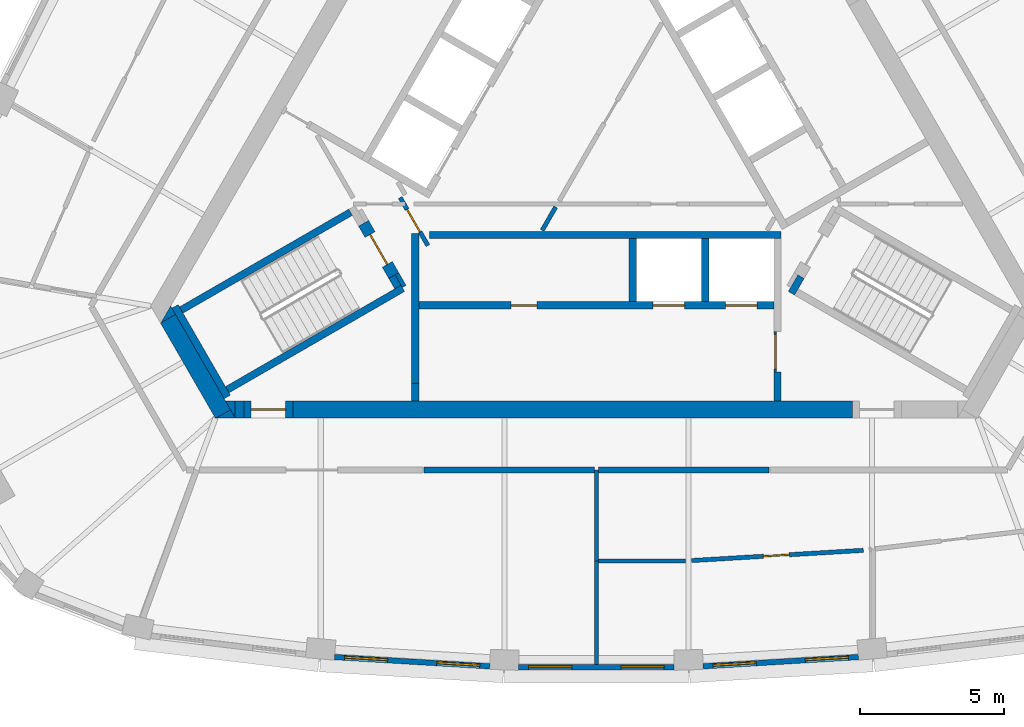
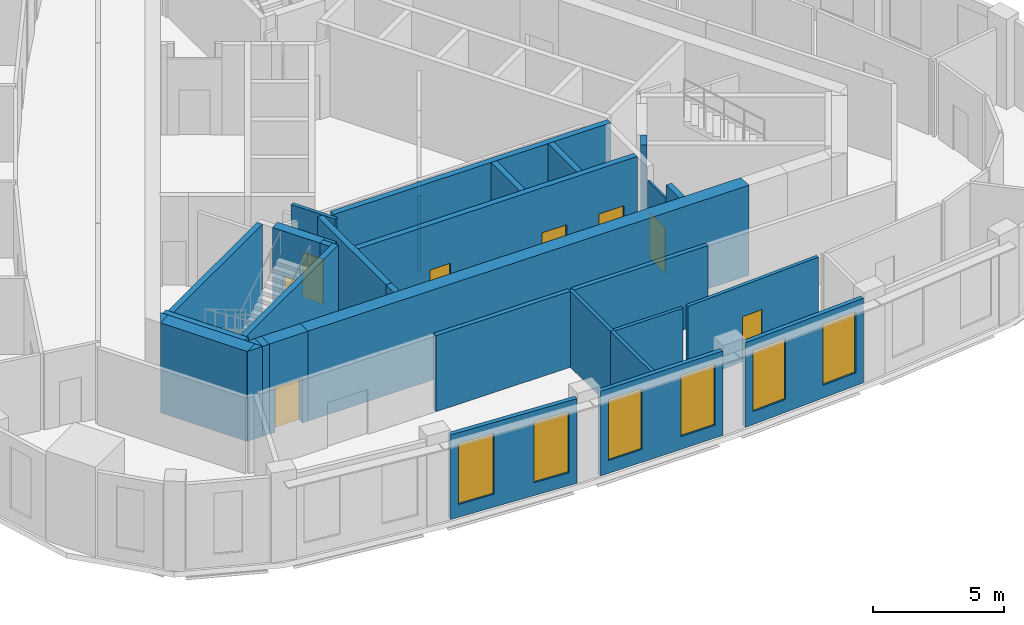
# One storey, part 3 of 10: 33 walls, 8 doors, 6 windows, 14 openings.
"""IFC4 building model written with IfcOpenShell, lengths in metres."""

from ifc_helpers import new_model, si_unit, direction, frame, frame_2d, origin, place, context, subcontext, project, spatial, polyline, rectangle, outline, extrude, material, layer, layer_set, type_object, element, fill, save


model = new_model("IFC4")

# Units and contexts
model_context = context("Model", 3, precision=1e-05, world=origin(), true_north=direction((0.0, 1.0)))
body_context = subcontext(model_context, "Body", "Model", "MODEL_VIEW")
ifc_project = project(units=[si_unit("LENGTHUNIT", "METRE"), si_unit("AREAUNIT", "SQUARE_METRE"), si_unit("VOLUMEUNIT", "CUBIC_METRE"), si_unit("PLANEANGLEUNIT", "RADIAN"), si_unit("MASSUNIT", "GRAM", prefix="KILO")], contexts=[model_context])

# Site, building, storey
site_placement = place(None, origin())
site = spatial("IfcSite", under=ifc_project, at=site_placement, CompositionType="ELEMENT")
building_placement = place(site_placement, origin())
building = spatial("IfcBuilding", under=site, at=building_placement, Name="Mestral Congress Tower", CompositionType="ELEMENT")
storey_placement = place(building_placement, frame((0.0, 0.0, 292.199951171875)))
storey = spatial("IfcBuildingStorey", under=building, at=storey_placement, Name="L68", CompositionType="ELEMENT", Elevation=292.199951171875)

# Wall
ifc_material_1 = material(Name="Fire-rated board partition")
ifc_layer_1 = layer(ifc_material_1, 0.14990234375)
ifc_layer_set_1 = layer_set([ifc_layer_1], Name="Fire-rated board partition")
wall_type_1 = type_object("IfcWallType", Name="Core partition 150", PredefinedType="PARTITIONING", material=ifc_layer_set_1)
wall_1_placement = place(storey_placement, frame((-1.41845703125, -2.90673828125, 0.0), z_axis=(0.0, 0.0, 1.0), x_axis=(-0.499978056798, -0.866038072327, 0.0)))
element("IfcWall", 1, at=wall_1_placement, inside=storey, type_object=wall_type_1, Name="L68 core wall", PredefinedType="PARTITIONING", context=body_context, shape_type="SweptSolid", body=[
    extrude(rectangle(XDim=0.93701171875, YDim=0.14990234375, at=frame_2d((0.468505859375, 0.0))), origin(), (0.0, 0.0, 1.0), 3.550048828125),
])

# Wall, opening, door
ifc_layer_2 = layer(ifc_material_1, 0.090087890625)
ifc_layer_set_2 = layer_set([ifc_layer_2], Name="Fire-rated board partition")
wall_type_2 = type_object("IfcWallType", Name="Core partition 150 door-wall 90", PredefinedType="PARTITIONING", material=ifc_layer_set_2)
wall_2_placement = place(storey_placement, frame((6.219970703125, -7.23681640625, 0.0), z_axis=(0.0, 0.0, 1.0), x_axis=(0.0, -1.0, 0.0)))
wall_2 = element("IfcWall", 2, at=wall_2_placement, inside=storey, type_object=wall_type_2, Name="L68 door wall", PredefinedType="PARTITIONING", context=body_context, shape_type="SweptSolid", body=[
    extrude(rectangle(XDim=1.400146484375, YDim=0.090087890625, at=frame_2d((0.7001953125, 0.0))), origin(), (0.0, 0.0, 1.0), 3.550048828125),
])
opening_1_placement = place(wall_2_placement, frame((0.10009765625, 0.0, 0.0)))
opening_1 = element("IfcOpeningElement", 3, at=opening_1_placement, cuts=wall_2, Name="Opening LB0-WL1", PredefinedType="OPENING", context=body_context, shape_type="SweptSolid", body=[
    extrude(rectangle(XDim=1.199951171875, YDim=2.10009765625, at=frame_2d((0.60009765625, 1.050048828125))), frame((0.0, 0.054931640625, 0.0), z_axis=(0.0, -1.0, 0.0), x_axis=(1.0, 0.0, 0.0)), (0.0, 0.0, 1.0), 0.110107421875),
])
ifc_material_2 = material(Name="Fire-rated steel door set", Category="steel")
door_type_1 = type_object("IfcDoorType", Name="Core door LB 1200x2100", OperationType="SINGLE_SWING_LEFT", PredefinedType="DOOR", material=ifc_material_2)
door_1_placement = place(opening_1_placement, origin())
door_1 = element("IfcDoor", 4, at=door_1_placement, inside=storey, type_object=door_type_1, Name="Door LB0-WL1", OperationType="SINGLE_SWING_LEFT", OverallHeight=2.10009765625, OverallWidth=1.199951171875, PredefinedType="DOOR", context=body_context, shape_type="SweptSolid", body=[
    extrude(rectangle(XDim=1.199951171875, YDim=2.10009765625, at=frame_2d((0.60009765625, 1.050048828125))), frame((0.0, 0.02490234375, 0.0), z_axis=(0.0, -1.0, 0.0), x_axis=(1.0, 0.0, 0.0)), (0.0, 0.0, 1.0), 0.050048828125),
])
fill(opening_1, door_1)

# Walls
ifc_material_3 = material(Name="Concrete C60/75", Category="concrete")
ifc_layer_3 = layer(ifc_material_3, 0.60009765625)
ifc_layer_set_3 = layer_set([ifc_layer_3], Name="Concrete C60/75")
wall_type_3 = type_object("IfcWallType", Name="Core wall RC 600", PredefinedType="SOLIDWALL", material=ifc_layer_set_3)
wall_3_placement = place(storey_placement, frame((-14.898681640625, -6.794677734375, 0.0), z_axis=(0.0, 0.0, 1.0), x_axis=(0.499950938802, -0.866053727428, 0.0)))
element("IfcWall", 5, at=wall_3_placement, inside=storey, type_object=wall_type_3, Name="L68 core wall", PredefinedType="SOLIDWALL", context=body_context, shape_type="SweptSolid", body=[
    extrude(rectangle(XDim=3.8232421875, YDim=0.60009765625, at=frame_2d((1.91162109375, 0.0))), origin(), (0.0, 0.0, 1.0), 4.199951171875),
])
placement = place(storey_placement, origin())
element("IfcWall", 6, at=placement, inside=storey, type_object=wall_type_3, Name="L68 core wall", PredefinedType="SOLIDWALL", context=body_context, shape_type="SweptSolid", body=[
    extrude(outline(polyline([(-14.639892578125, -6.642822265625), (-15.147216796875, -6.935791015625), (-14.80908203125, -6.35009765625), (-14.639892578125, -6.642822265625)])), origin(), (0.0, 0.0, 1.0), 4.199951171875),
])
element("IfcWall", 7, at=placement, inside=storey, type_object=wall_type_3, Name="L68 core wall", PredefinedType="SOLIDWALL", context=body_context, shape_type="SweptSolid", body=[
    extrude(outline(polyline([(-12.557373046875, -10.25), (-13.2333984375, -10.25), (-12.726318359375, -9.957275390625), (-12.557373046875, -10.25)])), origin(), (0.0, 0.0, 1.0), 4.199951171875),
])
wall_6_placement = place(storey_placement, frame((-12.256591796875, -9.949951171875, 0.0), z_axis=(0.0, 0.0, 1.0), x_axis=(-1.0, 0.0, 0.0)))
element("IfcWall", 8, at=wall_6_placement, inside=storey, type_object=wall_type_3, Name="L68 core wall", PredefinedType="SOLIDWALL", context=body_context, shape_type="SweptSolid", body=[
    extrude(rectangle(XDim=0.30712890625, YDim=0.60009765625, at=frame_2d((0.153564453125, 0.0))), origin(), (0.0, 0.0, 1.0), 4.199951171875),
])
element("IfcWall", 9, at=placement, inside=storey, type_object=wall_type_3, Name="L68 core wall", PredefinedType="SOLIDWALL", context=body_context, shape_type="SweptSolid", body=[
    extrude(outline(polyline([(-12.90380859375, -9.64990234375), (-12.56591796875, -9.64990234375), (-12.56591796875, -10.235595703125), (-12.90380859375, -9.64990234375)])), origin(), (0.0, 0.0, 1.0), 4.199951171875),
])
wall_8_placement = place(storey_placement, frame((-10.556396484375, -9.949951171875, 0.0), z_axis=(0.0, 0.0, 1.0), x_axis=(1.0, 0.0, 0.0)))
element("IfcWall", 10, at=wall_8_placement, inside=storey, type_object=wall_type_3, Name="L68 core wall", PredefinedType="SOLIDWALL", context=body_context, shape_type="SweptSolid", body=[
    extrude(rectangle(XDim=19.460693359375, YDim=0.60009765625, at=frame_2d((9.73046875, 0.0))), origin(), (0.0, 0.0, 1.0), 4.199951171875),
])

# Wall, opening, door
wall_9_placement = place(storey_placement, frame((-10.556396484375, -9.949951171875, 0.0), z_axis=(0.0, 0.0, 1.0), x_axis=(-1.0, 0.0, 0.0)))
wall_9 = element("IfcWall", 11, at=wall_9_placement, inside=storey, type_object=wall_type_3, Name="L68 door wall", PredefinedType="SOLIDWALL", context=body_context, shape_type="SweptSolid", body=[
    extrude(rectangle(XDim=1.699951171875, YDim=0.60009765625, at=frame_2d((0.85009765625, 0.0))), origin(), (0.0, 0.0, 1.0), 4.199951171875),
])
opening_2_placement = place(wall_9_placement, frame((0.25, 0.0, 0.0)))
opening_2 = element("IfcOpeningElement", 12, at=opening_2_placement, cuts=wall_9, Name="Opening XD3", PredefinedType="OPENING", context=body_context, shape_type="SweptSolid", body=[
    extrude(rectangle(XDim=1.199951171875, YDim=2.10009765625, at=frame_2d((0.60009765625, 1.050048828125))), frame((0.0, 0.31005859375, 0.0), z_axis=(0.0, -1.0, 0.0), x_axis=(1.0, 0.0, 0.0)), (0.0, 0.0, 1.0), 0.6201171875),
])
door_type_2 = type_object("IfcDoorType", Name="Core door XD 1200x2100", OperationType="SINGLE_SWING_LEFT", PredefinedType="DOOR", material=ifc_material_2)
door_2_placement = place(opening_2_placement, origin())
door_2 = element("IfcDoor", 13, at=door_2_placement, inside=storey, type_object=door_type_2, Name="Door XD3", OperationType="SINGLE_SWING_LEFT", OverallHeight=2.10009765625, OverallWidth=1.199951171875, PredefinedType="DOOR", context=body_context, shape_type="SweptSolid", body=[
    extrude(rectangle(XDim=1.199951171875, YDim=2.10009765625, at=frame_2d((0.60009765625, 1.050048828125))), frame((0.0, 0.02490234375, 0.0), z_axis=(0.0, -1.0, 0.0), x_axis=(1.0, 0.0, 0.0)), (0.0, 0.0, 1.0), 0.050048828125),
])
fill(opening_2, door_2)

# Wall, openings, windows
ifc_material_4 = material(Name="Precast concrete C40/50 with limestone facing", Category="masonry")
ifc_layer_4 = layer(ifc_material_4, 0.18994140625)
ifc_layer_set_4 = layer_set([ifc_layer_4], Name="Precast concrete C40/50 with limestone facing")
wall_type_4 = type_object("IfcWallType", Name="Facade stone wall 190", PredefinedType="SOLIDWALL", material=ifc_layer_set_4)
wall_10_placement = place(storey_placement, frame((-9.106689453125, -18.557861328125, 0.0), z_axis=(0.0, 0.0, 1.0), x_axis=(0.998221492823, -0.059614186786, 0.0)))
wall_10 = element("IfcWall", 14, at=wall_10_placement, inside=storey, type_object=wall_type_4, Name="Facade wall F0-01", PredefinedType="SOLIDWALL", context=body_context, shape_type="SweptSolid", body=[
    extrude(rectangle(XDim=5.40576171875, YDim=0.18994140625, at=frame_2d((2.702880859375, 0.0))), origin(), (0.0, 0.0, 1.0), 3.949951171875),
])
opening_3_placement = place(wall_10_placement, frame((0.346435546875, 0.0, 0.60009765625)))
opening_3 = element("IfcOpeningElement", 15, at=opening_3_placement, cuts=wall_10, Name="Opening W6", PredefinedType="OPENING", context=body_context, shape_type="SweptSolid", body=[
    extrude(rectangle(XDim=1.5, YDim=2.85009765625, at=frame_2d((0.75, 1.425048828125))), frame((0.0, 0.10498046875, 0.0), z_axis=(0.0, -1.0, 0.0), x_axis=(1.0, 0.0, 0.0)), (0.0, 0.0, 1.0), 0.2099609375),
])
opening_4_placement = place(wall_10_placement, frame((3.559326171875, 0.0, 0.60009765625)))
opening_4 = element("IfcOpeningElement", 16, at=opening_4_placement, cuts=wall_10, Name="Opening W6", PredefinedType="OPENING", context=body_context, shape_type="SweptSolid", body=[
    extrude(rectangle(XDim=1.5, YDim=2.85009765625, at=frame_2d((0.75, 1.425048828125))), frame((0.0, 0.10498046875, 0.0), z_axis=(0.0, -1.0, 0.0), x_axis=(1.0, 0.0, 0.0)), (0.0, 0.0, 1.0), 0.2099609375),
])
ifc_material_5 = material(Name="Clear low-emissivity double glazing", Category="glass")
window_type = type_object("IfcWindowType", Name="Facade punched window 1500 x 2850 sill 600", PartitioningType="SINGLE_PANEL", PredefinedType="WINDOW", material=ifc_material_5)
window_1_placement = place(opening_3_placement, origin())
window_1 = element("IfcWindow", 17, at=window_1_placement, inside=storey, type_object=window_type, Name="Window F0-01a", OverallHeight=2.85009765625, OverallWidth=1.5, PartitioningType="SINGLE_PANEL", PredefinedType="WINDOW", context=body_context, shape_type="SweptSolid", body=[
    extrude(rectangle(XDim=1.5, YDim=2.85009765625, at=frame_2d((0.75, 1.425048828125))), frame((0.0, 0.044921875, 0.0), z_axis=(0.0, -1.0, 0.0), x_axis=(1.0, 0.0, 0.0)), (0.0, 0.0, 1.0), 0.06005859375),
])
fill(opening_3, window_1)
window_2_placement = place(opening_4_placement, origin())
window_2 = element("IfcWindow", 18, at=window_2_placement, inside=storey, type_object=window_type, Name="Window F0-01b", OverallHeight=2.85009765625, OverallWidth=1.5, PartitioningType="SINGLE_PANEL", PredefinedType="WINDOW", context=body_context, shape_type="SweptSolid", body=[
    extrude(rectangle(XDim=1.5, YDim=2.85009765625, at=frame_2d((0.75, 1.425048828125))), frame((0.0, 0.044921875, 0.0), z_axis=(0.0, -1.0, 0.0), x_axis=(1.0, 0.0, 0.0)), (0.0, 0.0, 1.0), 0.06005859375),
])
fill(opening_4, window_2)

wall_11_placement = place(storey_placement, frame((-2.702880859375, -18.91015625, 0.0), z_axis=(0.0, 0.0, 1.0), x_axis=(1.0, 0.0, 0.0)))
wall_11 = element("IfcWall", 19, at=wall_11_placement, inside=storey, type_object=wall_type_4, Name="Facade wall F0-02", PredefinedType="SOLIDWALL", context=body_context, shape_type="SweptSolid", body=[
    extrude(rectangle(XDim=5.40576171875, YDim=0.18994140625, at=frame_2d((2.702880859375, 0.0))), origin(), (0.0, 0.0, 1.0), 3.949951171875),
])
opening_5_placement = place(wall_11_placement, frame((0.346435546875, 0.0, 0.60009765625)))
opening_5 = element("IfcOpeningElement", 20, at=opening_5_placement, cuts=wall_11, Name="Opening W6", PredefinedType="OPENING", context=body_context, shape_type="SweptSolid", body=[
    extrude(rectangle(XDim=1.5, YDim=2.85009765625, at=frame_2d((0.75, 1.425048828125))), frame((0.0, 0.10498046875, 0.0), z_axis=(0.0, -1.0, 0.0), x_axis=(1.0, 0.0, 0.0)), (0.0, 0.0, 1.0), 0.2099609375),
])
opening_6_placement = place(wall_11_placement, frame((3.5595703125, 0.0, 0.60009765625)))
opening_6 = element("IfcOpeningElement", 21, at=opening_6_placement, cuts=wall_11, Name="Opening W6", PredefinedType="OPENING", context=body_context, shape_type="SweptSolid", body=[
    extrude(rectangle(XDim=1.5, YDim=2.85009765625, at=frame_2d((0.75, 1.425048828125))), frame((0.0, 0.10498046875, 0.0), z_axis=(0.0, -1.0, 0.0), x_axis=(1.0, 0.0, 0.0)), (0.0, 0.0, 1.0), 0.2099609375),
])
window_3_placement = place(opening_5_placement, origin())
window_3 = element("IfcWindow", 22, at=window_3_placement, inside=storey, type_object=window_type, Name="Window F0-02a", OverallHeight=2.85009765625, OverallWidth=1.5, PartitioningType="SINGLE_PANEL", PredefinedType="WINDOW", context=body_context, shape_type="SweptSolid", body=[
    extrude(rectangle(XDim=1.5, YDim=2.85009765625, at=frame_2d((0.75, 1.425048828125))), frame((0.0, 0.044921875, 0.0), z_axis=(0.0, -1.0, 0.0), x_axis=(1.0, 0.0, 0.0)), (0.0, 0.0, 1.0), 0.06005859375),
])
fill(opening_5, window_3)
window_4_placement = place(opening_6_placement, origin())
window_4 = element("IfcWindow", 23, at=window_4_placement, inside=storey, type_object=window_type, Name="Window F0-02b", OverallHeight=2.85009765625, OverallWidth=1.5, PartitioningType="SINGLE_PANEL", PredefinedType="WINDOW", context=body_context, shape_type="SweptSolid", body=[
    extrude(rectangle(XDim=1.5, YDim=2.85009765625, at=frame_2d((0.75, 1.425048828125))), frame((0.0, 0.044921875, 0.0), z_axis=(0.0, -1.0, 0.0), x_axis=(1.0, 0.0, 0.0)), (0.0, 0.0, 1.0), 0.06005859375),
])
fill(opening_6, window_4)

wall_12_placement = place(storey_placement, frame((3.71044921875, -18.880126953125, 0.0), z_axis=(0.0, 0.0, 1.0), x_axis=(0.998221492823, 0.059614186786, 0.0)))
wall_12 = element("IfcWall", 24, at=wall_12_placement, inside=storey, type_object=wall_type_4, Name="Facade wall F0-03", PredefinedType="SOLIDWALL", context=body_context, shape_type="SweptSolid", body=[
    extrude(rectangle(XDim=5.40576171875, YDim=0.18994140625, at=frame_2d((2.702880859375, 0.0))), origin(), (0.0, 0.0, 1.0), 3.949951171875),
])
opening_7_placement = place(wall_12_placement, frame((0.346435546875, 0.0, 0.60009765625)))
opening_7 = element("IfcOpeningElement", 25, at=opening_7_placement, cuts=wall_12, Name="Opening W6", PredefinedType="OPENING", context=body_context, shape_type="SweptSolid", body=[
    extrude(rectangle(XDim=1.5, YDim=2.85009765625, at=frame_2d((0.75, 1.425048828125))), frame((0.0, 0.10498046875, 0.0), z_axis=(0.0, -1.0, 0.0), x_axis=(1.0, 0.0, 0.0)), (0.0, 0.0, 1.0), 0.2099609375),
])
opening_8_placement = place(wall_12_placement, frame((3.559326171875, 0.0, 0.60009765625)))
opening_8 = element("IfcOpeningElement", 26, at=opening_8_placement, cuts=wall_12, Name="Opening W6", PredefinedType="OPENING", context=body_context, shape_type="SweptSolid", body=[
    extrude(rectangle(XDim=1.5, YDim=2.85009765625, at=frame_2d((0.75, 1.425048828125))), frame((0.0, 0.10498046875, 0.0), z_axis=(0.0, -1.0, 0.0), x_axis=(1.0, 0.0, 0.0)), (0.0, 0.0, 1.0), 0.2099609375),
])
window_5_placement = place(opening_7_placement, origin())
window_5 = element("IfcWindow", 27, at=window_5_placement, inside=storey, type_object=window_type, Name="Window F0-03a", OverallHeight=2.85009765625, OverallWidth=1.5, PartitioningType="SINGLE_PANEL", PredefinedType="WINDOW", context=body_context, shape_type="SweptSolid", body=[
    extrude(rectangle(XDim=1.5, YDim=2.85009765625, at=frame_2d((0.75, 1.425048828125))), frame((0.0, 0.044921875, 0.0), z_axis=(0.0, -1.0, 0.0), x_axis=(1.0, 0.0, 0.0)), (0.0, 0.0, 1.0), 0.06005859375),
])
fill(opening_7, window_5)
window_6_placement = place(opening_8_placement, origin())
window_6 = element("IfcWindow", 28, at=window_6_placement, inside=storey, type_object=window_type, Name="Window F0-03b", OverallHeight=2.85009765625, OverallWidth=1.5, PartitioningType="SINGLE_PANEL", PredefinedType="WINDOW", context=body_context, shape_type="SweptSolid", body=[
    extrude(rectangle(XDim=1.5, YDim=2.85009765625, at=frame_2d((0.75, 1.425048828125))), frame((0.0, 0.044921875, 0.0), z_axis=(0.0, -1.0, 0.0), x_axis=(1.0, 0.0, 0.0)), (0.0, 0.0, 1.0), 0.06005859375),
])
fill(opening_8, window_6)

# Walls
ifc_material_6 = material(Name="Plasterboard partition on steel studs", Category="steel")
ifc_layer_5 = layer(ifc_material_6, 0.14990234375)
ifc_layer_set_5 = layer_set([ifc_layer_5], Name="Plasterboard partition on steel studs")
wall_type_5 = type_object("IfcWallType", Name="Office partition 150", PredefinedType="PARTITIONING", material=ifc_layer_set_5)
wall_13_placement = place(storey_placement, frame((0.0, -15.211181640625, 0.0), z_axis=(0.0, 0.0, 1.0), x_axis=(0.0, -1.0, 0.0)))
element("IfcWall", 29, at=wall_13_placement, inside=storey, type_object=wall_type_5, Name="Partition", PredefinedType="PARTITIONING", context=body_context, shape_type="SweptSolid", body=[
    extrude(rectangle(XDim=3.60400390625, YDim=0.14990234375, at=frame_2d((1.802001953125, 0.0))), origin(), (0.0, 0.0, 1.0), 3.550048828125),
])
wall_14_placement = place(storey_placement, frame((0.0, -12.050048828125, 0.0), z_axis=(0.0, 0.0, 1.0), x_axis=(0.0, -1.0, 0.0)))
element("IfcWall", 30, at=wall_14_placement, inside=storey, type_object=wall_type_5, Name="Partition", PredefinedType="PARTITIONING", context=body_context, shape_type="SweptSolid", body=[
    extrude(rectangle(XDim=3.169189453125, YDim=0.14990234375, at=frame_2d((1.58447265625, 0.0))), origin(), (0.0, 0.0, 1.0), 3.550048828125),
])
wall_15_placement = place(storey_placement, frame((0.074951171875, -15.215087890625, 0.0), z_axis=(0.0, 0.0, 1.0), x_axis=(1.0, 0.0, 0.0)))
element("IfcWall", 31, at=wall_15_placement, inside=storey, type_object=wall_type_5, Name="Partition", PredefinedType="PARTITIONING", context=body_context, shape_type="SweptSolid", body=[
    extrude(rectangle(XDim=3.02197265625, YDim=0.14990234375, at=frame_2d((1.510986328125, 0.0))), origin(), (0.0, 0.0, 1.0), 3.550048828125),
])

# Wall, opening, door
wall_16_placement = place(storey_placement, frame((9.279541015625, -14.845947265625, 0.0), z_axis=(0.0, 0.0, 1.0), x_axis=(-0.998221600551, -0.059612382886, 0.0)))
wall_16 = element("IfcWall", 32, at=wall_16_placement, inside=storey, type_object=wall_type_5, Name="Partition", PredefinedType="PARTITIONING", context=body_context, shape_type="SweptSolid", body=[
    extrude(rectangle(XDim=5.9794921875, YDim=0.14990234375, at=frame_2d((2.98974609375, 0.0))), origin(), (0.0, 0.0, 1.0), 3.550048828125),
])
opening_9_placement = place(wall_16_placement, frame((2.57958984375, 0.0, 0.0)))
opening_9 = element("IfcOpeningElement", 33, at=opening_9_placement, cuts=wall_16, Name="Opening O13-002", PredefinedType="OPENING", context=body_context, shape_type="SweptSolid", body=[
    extrude(rectangle(XDim=0.89990234375, YDim=2.10009765625, at=frame_2d((0.449951171875, 1.050048828125))), frame((0.0, 0.0849609375, 0.0), z_axis=(0.0, -1.0, 0.0), x_axis=(1.0, 0.0, 0.0)), (0.0, 0.0, 1.0), 0.169921875),
])
ifc_material_7 = material(Name="Timber door set", Category="wood")
door_type_3 = type_object("IfcDoorType", Name="Office door 900x2100", OperationType="SINGLE_SWING_LEFT", PredefinedType="DOOR", material=ifc_material_7)
door_3_placement = place(opening_9_placement, origin())
door_3 = element("IfcDoor", 34, at=door_3_placement, inside=storey, type_object=door_type_3, Name="Door O13-002", OperationType="SINGLE_SWING_RIGHT", OverallHeight=2.10009765625, OverallWidth=0.89990234375, PredefinedType="DOOR", context=body_context, shape_type="SweptSolid", body=[
    extrude(rectangle(XDim=0.89990234375, YDim=2.10009765625, at=frame_2d((0.449951171875, 1.050048828125))), frame((0.0, 0.02490234375, 0.0), z_axis=(0.0, -1.0, 0.0), x_axis=(1.0, 0.0, 0.0)), (0.0, 0.0, 1.0), 0.050048828125),
])
fill(opening_9, door_3)

# Walls
ifc_material_8 = material(Name="Dense masonry wall, plastered", Category="masonry")
ifc_layer_6 = layer(ifc_material_8, 0.199951171875)
ifc_layer_set_6 = layer_set([ifc_layer_6], Name="Dense masonry wall, plastered")
wall_type_6 = type_object("IfcWallType", Name="Office tenancy wall 200", PredefinedType="PARTITIONING", material=ifc_layer_set_6)
for number, where, z_axis, x_axis, name in (
    (35, (-6.0, -12.050048828125, 0.0), (0.0, 0.0, 1.0), (1.0, 0.0, 0.0), "Tenancy wall"),
    (36, (0.074951171875, -12.050048828125, 0.0), (0.0, 0.0, 1.0), (1.0, 0.0, 0.0), "Tenancy wall"),
):
    element("IfcWall", number, at=place(storey_placement, frame(where, z_axis=z_axis, x_axis=x_axis)), inside=storey, type_object=wall_type_6, Name=name, PredefinedType="PARTITIONING", context=body_context, shape_type="SweptSolid", body=[
        extrude(rectangle(XDim=5.925048828125, YDim=0.199951171875, at=frame_2d((2.96240234375, 0.0))), origin(), (0.0, 0.0, 1.0), 3.550048828125),
    ])
ifc_layer_7 = layer(ifc_material_3, 0.25)
ifc_layer_set_7 = layer_set([ifc_layer_7], Name="Concrete C60/75")
wall_type_7 = type_object("IfcWallType", Name="Shaft wall RC 250", PredefinedType="SOLIDWALL", material=ifc_layer_set_7)
wall_17_placement = place(storey_placement, frame((-5.806396484375, -3.875, 0.0), z_axis=(0.0, 0.0, 1.0), x_axis=(1.0, 0.0, 0.0)))
element("IfcWall", 37, at=wall_17_placement, inside=storey, type_object=wall_type_7, Name="L68 core wall", PredefinedType="SOLIDWALL", context=body_context, shape_type="SweptSolid", body=[
    extrude(rectangle(XDim=12.2314453125, YDim=0.25, at=frame_2d((6.11572265625, 0.0))), origin(), (0.0, 0.0, 1.0), 4.199951171875),
])
wall_18_placement = place(storey_placement, frame((6.300048828125, -9.64990234375, 0.0), z_axis=(0.0, 0.0, 1.0), x_axis=(0.0, 1.0, 0.0)))
element("IfcWall", 38, at=wall_18_placement, inside=storey, type_object=wall_type_7, Name="L68 core wall", PredefinedType="SOLIDWALL", context=body_context, shape_type="SweptSolid", body=[
    extrude(rectangle(XDim=1.0078125, YDim=0.25, at=frame_2d((0.50390625, 0.0))), origin(), (0.0, 0.0, 1.0), 4.199951171875),
])
for number, where, z_axis, x_axis, name in (
    (39, (3.780029296875, -4.0, 0.0), (0.0, 0.0, 1.0), (0.0, -1.0, 0.0), "L68 core wall"),
    (40, (1.260009765625, -4.0, 0.0), (0.0, 0.0, 1.0), (0.0, -1.0, 0.0), "L68 core wall"),
):
    element("IfcWall", number, at=place(storey_placement, frame(where, z_axis=z_axis, x_axis=x_axis)), inside=storey, type_object=wall_type_7, Name=name, PredefinedType="SOLIDWALL", context=body_context, shape_type="SweptSolid", body=[
        extrude(rectangle(XDim=2.199951171875, YDim=0.25, at=frame_2d((1.10009765625, 0.0))), origin(), (0.0, 0.0, 1.0), 4.199951171875),
    ])
wall_19_placement = place(storey_placement, frame((-6.300048828125, -9.050048828125, 0.0), z_axis=(0.0, 0.0, 1.0), x_axis=(0.0, 1.0, 0.0)))
element("IfcWall", 41, at=wall_19_placement, inside=storey, type_object=wall_type_7, Name="L68 core wall", PredefinedType="SOLIDWALL", context=body_context, shape_type="SweptSolid", body=[
    extrude(rectangle(XDim=5.22998046875, YDim=0.25, at=frame_2d((2.614990234375, 0.0))), origin(), (0.0, 0.0, 1.0), 4.199951171875),
])
wall_20_placement = place(storey_placement, frame((-6.300048828125, -9.052001953125, 0.0), z_axis=(0.0, 0.0, 1.0), x_axis=(0.0, -1.0, 0.0)))
element("IfcWall", 42, at=wall_20_placement, inside=storey, type_object=wall_type_7, Name="L68 core wall", PredefinedType="SOLIDWALL", context=body_context, shape_type="SweptSolid", body=[
    extrude(rectangle(XDim=0.597900390625, YDim=0.25, at=frame_2d((0.298828125, 0.0))), origin(), (0.0, 0.0, 1.0), 4.199951171875),
])

# Wall, openings, doors
wall_21_placement = place(storey_placement, frame((-6.175048828125, -6.324951171875, 0.0), z_axis=(0.0, 0.0, 1.0), x_axis=(1.0, 0.0, 0.0)))
wall_21 = element("IfcWall", 43, at=wall_21_placement, inside=storey, type_object=wall_type_7, Name="L68 door wall", PredefinedType="SOLIDWALL", context=body_context, shape_type="SweptSolid", body=[
    extrude(rectangle(XDim=12.35009765625, YDim=0.25, at=frame_2d((6.175048828125, 0.0))), origin(), (0.0, 0.0, 1.0), 4.199951171875),
])
opening_10_placement = place(wall_21_placement, frame((3.205078125, 0.0, 0.0)))
opening_10 = element("IfcOpeningElement", 44, at=opening_10_placement, cuts=wall_21, Name="Opening SR-SOB1", PredefinedType="OPENING", context=body_context, shape_type="SweptSolid", body=[
    extrude(rectangle(XDim=0.89990234375, YDim=2.10009765625, at=frame_2d((0.449951171875, 1.050048828125))), frame((0.0, 0.135009765625, 0.0), z_axis=(0.0, -1.0, 0.0), x_axis=(1.0, 0.0, 0.0)), (0.0, 0.0, 1.0), 0.27001953125),
])
opening_11_placement = place(wall_21_placement, frame((8.14501953125, 0.0, 0.0)))
opening_11 = element("IfcOpeningElement", 45, at=opening_11_placement, cuts=wall_21, Name="Opening LD-SOB4", PredefinedType="OPENING", context=body_context, shape_type="SweptSolid", body=[
    extrude(rectangle(XDim=1.10009765625, YDim=2.10009765625, at=frame_2d((0.550048828125, 1.050048828125))), frame((0.0, 0.135009765625, 0.0), z_axis=(0.0, -1.0, 0.0), x_axis=(1.0, 0.0, 0.0)), (0.0, 0.0, 1.0), 0.27001953125),
])
opening_12_placement = place(wall_21_placement, frame((10.6650390625, 0.0, 0.0)))
opening_12 = element("IfcOpeningElement", 46, at=opening_12_placement, cuts=wall_21, Name="Opening LD-SOB5", PredefinedType="OPENING", context=body_context, shape_type="SweptSolid", body=[
    extrude(rectangle(XDim=1.10009765625, YDim=2.10009765625, at=frame_2d((0.550048828125, 1.050048828125))), frame((0.0, 0.135009765625, 0.0), z_axis=(0.0, -1.0, 0.0), x_axis=(1.0, 0.0, 0.0)), (0.0, 0.0, 1.0), 0.27001953125),
])
door_type_4 = type_object("IfcDoorType", Name="Core door LD 1100x2100", OperationType="DOUBLE_DOOR_SLIDING", PredefinedType="DOOR", material=ifc_material_2)
door_4_placement = place(opening_11_placement, origin())
door_4 = element("IfcDoor", 47, at=door_4_placement, inside=storey, type_object=door_type_4, Name="Door LD-SOB4", OperationType="DOUBLE_DOOR_SLIDING", OverallHeight=2.10009765625, OverallWidth=1.10009765625, PredefinedType="DOOR", context=body_context, shape_type="SweptSolid", body=[
    extrude(rectangle(XDim=1.10009765625, YDim=2.10009765625, at=frame_2d((0.550048828125, 1.050048828125))), frame((0.0, 0.02490234375, 0.0), z_axis=(0.0, -1.0, 0.0), x_axis=(1.0, 0.0, 0.0)), (0.0, 0.0, 1.0), 0.050048828125),
])
fill(opening_11, door_4)
door_5_placement = place(opening_12_placement, origin())
door_5 = element("IfcDoor", 48, at=door_5_placement, inside=storey, type_object=door_type_4, Name="Door LD-SOB5", OperationType="DOUBLE_DOOR_SLIDING", OverallHeight=2.10009765625, OverallWidth=1.10009765625, PredefinedType="DOOR", context=body_context, shape_type="SweptSolid", body=[
    extrude(rectangle(XDim=1.10009765625, YDim=2.10009765625, at=frame_2d((0.550048828125, 1.050048828125))), frame((0.0, 0.02490234375, 0.0), z_axis=(0.0, -1.0, 0.0), x_axis=(1.0, 0.0, 0.0)), (0.0, 0.0, 1.0), 0.050048828125),
])
fill(opening_12, door_5)
door_type_5 = type_object("IfcDoorType", Name="Core door SR 900x2100", OperationType="SINGLE_SWING_LEFT", PredefinedType="DOOR", material=ifc_material_2)
door_6_placement = place(opening_10_placement, origin())
door_6 = element("IfcDoor", 49, at=door_6_placement, inside=storey, type_object=door_type_5, Name="Door SR-SOB1", OperationType="SINGLE_SWING_LEFT", OverallHeight=2.10009765625, OverallWidth=0.89990234375, PredefinedType="DOOR", context=body_context, shape_type="SweptSolid", body=[
    extrude(rectangle(XDim=0.89990234375, YDim=2.10009765625, at=frame_2d((0.449951171875, 1.050048828125))), frame((0.0, 0.02490234375, 0.0), z_axis=(0.0, -1.0, 0.0), x_axis=(1.0, 0.0, 0.0)), (0.0, 0.0, 1.0), 0.050048828125),
])
fill(opening_10, door_6)

# Wall
ifc_layer_8 = layer(ifc_material_3, 0.14990234375)
ifc_layer_set_8 = layer_set([ifc_layer_8], Name="Concrete C60/75")
wall_type_8 = type_object("IfcWallType", Name="Shaft wall RC 250 door-wall 150", PredefinedType="SOLIDWALL", material=ifc_layer_set_8)
wall_22_placement = place(storey_placement, frame((-6.940185546875, -5.230224609375, 0.0), z_axis=(0.0, 0.0, 1.0), x_axis=(0.499834152157, -0.86612113491, 0.0)))
element("IfcWall", 50, at=wall_22_placement, inside=storey, type_object=wall_type_8, Name="L68 core wall", PredefinedType="PARTITIONING", context=body_context, shape_type="SweptSolid", body=[
    extrude(rectangle(XDim=0.504638671875, YDim=0.14990234375, at=frame_2d((0.25244140625, 0.0))), origin(), (0.0, 0.0, 1.0), 4.199951171875),
])

# Wall, opening, door
wall_23_placement = place(storey_placement, frame((-5.861083984375, -4.248291015625, 0.0), z_axis=(0.0, 0.0, 1.0), x_axis=(-0.500043646338, 0.866000203093, 0.0)))
wall_23 = element("IfcWall", 51, at=wall_23_placement, inside=storey, type_object=wall_type_8, Name="L68 door wall", PredefinedType="PARTITIONING", context=body_context, shape_type="SweptSolid", body=[
    extrude(rectangle(XDim=1.929931640625, YDim=0.14990234375, at=frame_2d((0.96484375, 0.0))), origin(), (0.0, 0.0, 1.0), 4.199951171875),
])
opening_13_placement = place(wall_23_placement, frame((0.550048828125, 0.0, 0.0)))
opening_13 = element("IfcOpeningElement", 52, at=opening_13_placement, cuts=wall_23, Name="Opening CD3-HUB4", PredefinedType="OPENING", context=body_context, shape_type="SweptSolid", body=[
    extrude(rectangle(XDim=0.89990234375, YDim=2.10009765625, at=frame_2d((0.449951171875, 1.050048828125))), frame((0.0, 0.0849609375, 0.0), z_axis=(0.0, -1.0, 0.0), x_axis=(1.0, 0.0, 0.0)), (0.0, 0.0, 1.0), 0.169921875),
])
door_type_6 = type_object("IfcDoorType", Name="Core door CD 900x2100", OperationType="SINGLE_SWING_LEFT", PredefinedType="DOOR", material=ifc_material_2)
door_7_placement = place(opening_13_placement, origin())
door_7 = element("IfcDoor", 53, at=door_7_placement, inside=storey, type_object=door_type_6, Name="Door CD3-HUB4", OperationType="SINGLE_SWING_LEFT", OverallHeight=2.10009765625, OverallWidth=0.89990234375, PredefinedType="DOOR", context=body_context, shape_type="SweptSolid", body=[
    extrude(rectangle(XDim=0.89990234375, YDim=2.10009765625, at=frame_2d((0.449951171875, 1.050048828125))), frame((0.0, 0.02490234375, 0.0), z_axis=(0.0, -1.0, 0.0), x_axis=(1.0, 0.0, 0.0)), (0.0, 0.0, 1.0), 0.050048828125),
])
fill(opening_13, door_7)

# Walls
ifc_layer_9 = layer(ifc_material_3, 0.25)
ifc_layer_set_9 = layer_set([ifc_layer_9], Name="Concrete C60/75")
wall_type_9 = type_object("IfcWallType", Name="Stair wall RC 250", PredefinedType="SOLIDWALL", material=ifc_layer_set_9)
wall_24_placement = place(storey_placement, frame((7.11279296875, -5.330078125, 0.0), z_axis=(0.0, 0.0, 1.0), x_axis=(-0.499965889992, -0.866045096311, 0.0)))
element("IfcWall", 54, at=wall_24_placement, inside=storey, type_object=wall_type_9, Name="L68 core wall", PredefinedType="SOLIDWALL", context=body_context, shape_type="SweptSolid", body=[
    extrude(rectangle(XDim=0.66552734375, YDim=0.25, at=frame_2d((0.332763671875, 0.0))), origin(), (0.0, 0.0, 1.0), 4.199951171875),
])
wall_25_placement = place(storey_placement, frame((-12.839599609375, -9.510986328125, 0.0), z_axis=(0.0, 0.0, 1.0), x_axis=(-0.499997733992, 0.866026712061, 0.0)))
element("IfcWall", 55, at=wall_25_placement, inside=storey, type_object=wall_type_9, Name="L68 core wall", PredefinedType="SOLIDWALL", context=body_context, shape_type="SweptSolid", body=[
    extrude(rectangle(XDim=3.6337890625, YDim=0.25, at=frame_2d((1.81689453125, 0.0))), origin(), (0.0, 0.0, 1.0), 4.199951171875),
])
wall_26_placement = place(storey_placement, frame((-14.43994140625, -6.489501953125, 0.0), z_axis=(0.0, 0.0, 1.0), x_axis=(0.866022966069, 0.500004222222, 0.0)))
element("IfcWall", 56, at=wall_26_placement, inside=storey, type_object=wall_type_9, Name="L68 core wall", PredefinedType="SOLIDWALL", context=body_context, shape_type="SweptSolid", body=[
    extrude(rectangle(XDim=6.80029296875, YDim=0.25, at=frame_2d((3.400146484375, 0.0))), origin(), (0.0, 0.0, 1.0), 4.199951171875),
])
wall_27_placement = place(storey_placement, frame((-12.83984375, -9.2607421875, 0.0), z_axis=(0.0, 0.0, 1.0), x_axis=(0.866016039709, 0.500016218704, 0.0)))
element("IfcWall", 57, at=wall_27_placement, inside=storey, type_object=wall_type_9, Name="L68 core wall", PredefinedType="SOLIDWALL", context=body_context, shape_type="SweptSolid", body=[
    extrude(rectangle(XDim=7.050048828125, YDim=0.25, at=frame_2d((3.52490234375, 0.0))), origin(), (0.0, 0.0, 1.0), 4.199951171875),
])
wall_28_placement = place(storey_placement, frame((-6.905029296875, -5.68994140625, 0.0), z_axis=(0.0, 0.0, 1.0), x_axis=(-0.499993700073, 0.866029041019, 0.0)))
element("IfcWall", 58, at=wall_28_placement, inside=storey, type_object=wall_type_9, Name="L68 core wall", PredefinedType="SOLIDWALL", context=body_context, shape_type="SweptSolid", body=[
    extrude(rectangle(XDim=0.41552734375, YDim=0.25, at=frame_2d((0.207763671875, 0.0))), origin(), (0.0, 0.0, 1.0), 4.199951171875),
])

# Wall, opening, door
ifc_layer_10 = layer(ifc_material_3, 0.39990234375)
ifc_layer_set_10 = layer_set([ifc_layer_10], Name="Concrete C60/75")
wall_type_10 = type_object("IfcWallType", Name="Stair wall RC 250 door-wall 400", PredefinedType="SOLIDWALL", material=ifc_layer_set_10)
wall_29_placement = place(storey_placement, frame((-8.097900390625, -3.473876953125, 0.0), z_axis=(0.0, 0.0, 1.0), x_axis=(0.49994051562, -0.866059744384, 0.0)))
wall_29 = element("IfcWall", 59, at=wall_29_placement, inside=storey, type_object=wall_type_10, Name="L68 door wall", PredefinedType="SOLIDWALL", context=body_context, shape_type="SweptSolid", body=[
    extrude(rectangle(XDim=2.099853515625, YDim=0.39990234375, at=frame_2d((1.0498046875, 0.0))), origin(), (0.0, 0.0, 1.0), 4.199951171875),
])
opening_14_placement = place(wall_29_placement, frame((0.449951171875, 0.0, 0.0)))
opening_14 = element("IfcOpeningElement", 60, at=opening_14_placement, cuts=wall_29, Name="Opening ST-D3", PredefinedType="OPENING", context=body_context, shape_type="SweptSolid", body=[
    extrude(rectangle(XDim=1.199951171875, YDim=2.10009765625, at=frame_2d((0.60009765625, 1.050048828125))), frame((0.0, 0.2099609375, 0.0), z_axis=(0.0, -1.0, 0.0), x_axis=(1.0, 0.0, 0.0)), (0.0, 0.0, 1.0), 0.419921875),
])
door_type_7 = type_object("IfcDoorType", Name="Core door ST 1200x2100", OperationType="SINGLE_SWING_LEFT", PredefinedType="DOOR", material=ifc_material_2)
door_8_placement = place(opening_14_placement, origin())
door_8 = element("IfcDoor", 61, at=door_8_placement, inside=storey, type_object=door_type_7, Name="Door ST-D3", OperationType="SINGLE_SWING_LEFT", OverallHeight=2.10009765625, OverallWidth=1.199951171875, PredefinedType="DOOR", context=body_context, shape_type="SweptSolid", body=[
    extrude(rectangle(XDim=1.199951171875, YDim=2.10009765625, at=frame_2d((0.60009765625, 1.050048828125))), frame((0.0, 0.02490234375, 0.0), z_axis=(0.0, -1.0, 0.0), x_axis=(1.0, 0.0, 0.0)), (0.0, 0.0, 1.0), 0.050048828125),
])
fill(opening_14, door_8)

save(model, "model.ifc")
